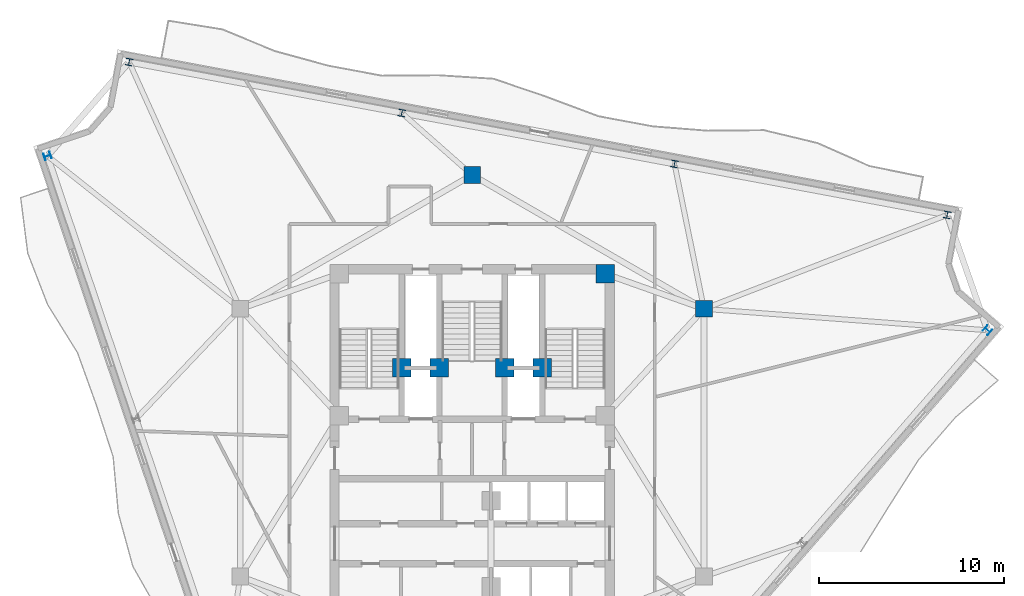
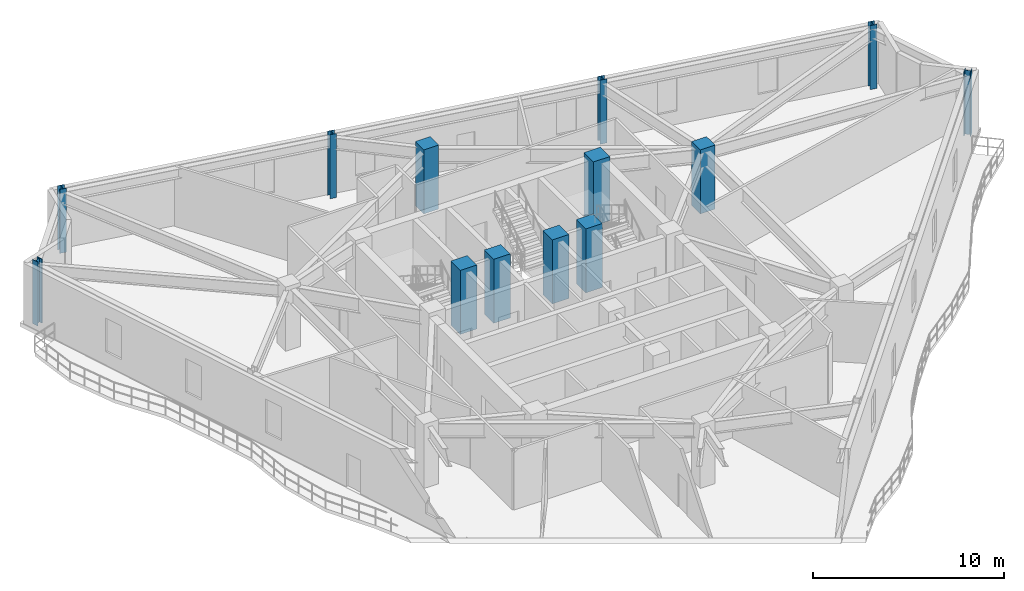
# One storey, part 2 of 9: 13 columns.
"""IFC4 building model written with IfcOpenShell, lengths in metres."""

from ifc_helpers import new_model, si_unit, direction, frame, origin, origin_2d, place, context, subcontext, project, spatial, rectangle, i_section, extrude, material, material_profile, profile_set, type_object, element, save


model = new_model("IFC4")

# Units and contexts
model_context = context("Model", 3, precision=1e-05, world=origin(), true_north=direction((0.0, 1.0)))
body_context = subcontext(model_context, "Body", "Model", "MODEL_VIEW")
ifc_project = project(units=[si_unit("LENGTHUNIT", "METRE"), si_unit("AREAUNIT", "SQUARE_METRE"), si_unit("VOLUMEUNIT", "CUBIC_METRE"), si_unit("PLANEANGLEUNIT", "RADIAN"), si_unit("MASSUNIT", "GRAM", prefix="KILO")], contexts=[model_context])

# Site, building, storey
site_placement = place(None, origin())
site = spatial("IfcSite", under=ifc_project, at=site_placement, CompositionType="ELEMENT")
building_placement = place(site_placement, origin())
building = spatial("IfcBuilding", under=site, at=building_placement, Name="Apsidion Concourse Tower", CompositionType="ELEMENT")
storey_placement = place(building_placement, frame((0.0, 0.0, 273.699951171875)))
storey = spatial("IfcBuildingStorey", under=building, at=storey_placement, Name="L64", CompositionType="ELEMENT", Elevation=273.699951171875)

# Columns
ifc_material_1 = material(Name="Concrete C50/60", Category="concrete")
ifc_material_profile_1 = material_profile(ifc_material_1, rectangle(XDim=1.0, YDim=1.0, at=origin_2d()), Name="RC 1000x1000")
ifc_profile_set_1 = profile_set([ifc_material_profile_1], Name="Concrete C50/60")
column_type_1 = type_object("IfcColumnType", Name="COL-RC-1000", PredefinedType="COLUMN", material=ifc_profile_set_1)
for number, where, z_axis, x_axis, name in (
    (1, (7.199951171875, 9.14990234375, 0.0), (0.0, 0.0, 1.0), (1.0, 0.0, 0.0), "L64 Core Super-Column SC4"),
    (2, (-3.800048828125, 4.050048828125, 0.0), (0.0, 0.0, 1.0), (1.0, 0.0, 0.0), "L64 Core Super-Column CC1"),
    (3, (3.800048828125, 4.050048828125, 0.0), (0.0, 0.0, 1.0), (1.0, 0.0, 0.0), "L64 Core Super-Column CC2"),
    (4, (-1.77490234375, 4.050048828125, 0.0), (0.0, 0.0, 1.0), (1.0, 0.0, 0.0), "L64 Core Super-Column CC3"),
    (5, (1.77490234375, 4.050048828125, 0.0), (0.0, 0.0, 1.0), (1.0, 0.0, 0.0), "L64 Core Super-Column CC4"),
):
    element("IfcColumn", number, at=place(storey_placement, frame(where, z_axis=z_axis, x_axis=x_axis)), inside=storey, type_object=column_type_1, Name=name, PredefinedType="COLUMN", context=body_context, shape_type="SweptSolid", body=[
        extrude(rectangle(XDim=1.0, YDim=1.0, at=origin_2d()), origin(), (0.0, 0.0, 1.0), 4.10009765625),
    ])
ifc_material_profile_2 = material_profile(ifc_material_1, rectangle(XDim=0.89990234375, YDim=0.89990234375, at=origin_2d()), Name="RC 900x900")
ifc_profile_set_2 = profile_set([ifc_material_profile_2], Name="Concrete C50/60")
column_type_2 = type_object("IfcColumnType", Name="COL-RC-900", PredefinedType="COLUMN", material=ifc_profile_set_2)
for number, where, z_axis, x_axis, name in (
    (6, (12.56005859375, 7.25, 0.0), (0.0, 0.0, 1.0), (1.0, 0.0, 0.0), "L64 Interior Spine Column IC3"),
    (7, (0.0, 14.5, 0.0), (0.0, 0.0, 1.0), (1.0, 0.0, 0.0), "L64 Interior Spine Column IC4"),
):
    element("IfcColumn", number, at=place(storey_placement, frame(where, z_axis=z_axis, x_axis=x_axis)), inside=storey, type_object=column_type_2, Name=name, PredefinedType="COLUMN", context=body_context, shape_type="SweptSolid", body=[
        extrude(rectangle(XDim=0.89990234375, YDim=0.89990234375, at=origin_2d()), origin(), (0.0, 0.0, 1.0), 4.10009765625),
    ])
ifc_material_2 = material(Name="Structural steel ASTM A992 Grade 50", Category="steel")
ifc_material_profile_3 = material_profile(ifc_material_2, i_section(OverallWidth=0.373046875, OverallDepth=0.373046875, WebThickness=0.016357421875, FlangeThickness=0.026123046875, at=origin_2d()), Name="W14X132")
ifc_profile_set_3 = profile_set([ifc_material_profile_3], Name="Structural steel ASTM A992 Grade 50")
column_type_3 = type_object("IfcColumnType", Name="COL-W14-132", PredefinedType="COLUMN", material=ifc_profile_set_3)
for number, where, z_axis, x_axis, name in (
    (8, (-23.00439453125, 15.53125, 0.0), (0.0, 0.0, 1.0), (-0.318628456287, 0.947879690069, 0.0), "L64 Rotated Perimeter Column PC01"),
    (9, (27.91455078125, 6.091064453125, 0.0), (0.0, 0.0, 1.0), (0.656059028991, 0.754709580223, 0.0), "L64 Rotated Perimeter Column PC08"),
    (10, (25.73779296875, 12.33837890625, 0.0), (0.0, 0.0, 1.0), (-0.982999500399, 0.183608230249, 0.0), "L64 Rotated Perimeter Column PC09"),
    (11, (10.964599609375, 15.0986328125, 0.0), (0.0, 0.0, 1.0), (-0.982999500399, 0.183608230249, 0.0), "L64 Rotated Perimeter Column PC10"),
    (12, (-3.80859375, 17.85888671875, 0.0), (0.0, 0.0, 1.0), (-0.982999500399, 0.183608230249, 0.0), "L64 Rotated Perimeter Column PC11"),
    (13, (-18.58154296875, 20.619140625, 0.0), (0.0, 0.0, 1.0), (-0.982999500399, 0.183608230249, 0.0), "L64 Rotated Perimeter Column PC12"),
):
    element("IfcColumn", number, at=place(storey_placement, frame(where, z_axis=z_axis, x_axis=x_axis)), inside=storey, type_object=column_type_3, Name=name, PredefinedType="COLUMN", context=body_context, shape_type="SweptSolid", body=[
        extrude(i_section(OverallWidth=0.373046875, OverallDepth=0.373046875, WebThickness=0.016357421875, FlangeThickness=0.026123046875, at=origin_2d()), origin(), (0.0, 0.0, 1.0), 4.10009765625),
    ])

save(model, "model.ifc")
